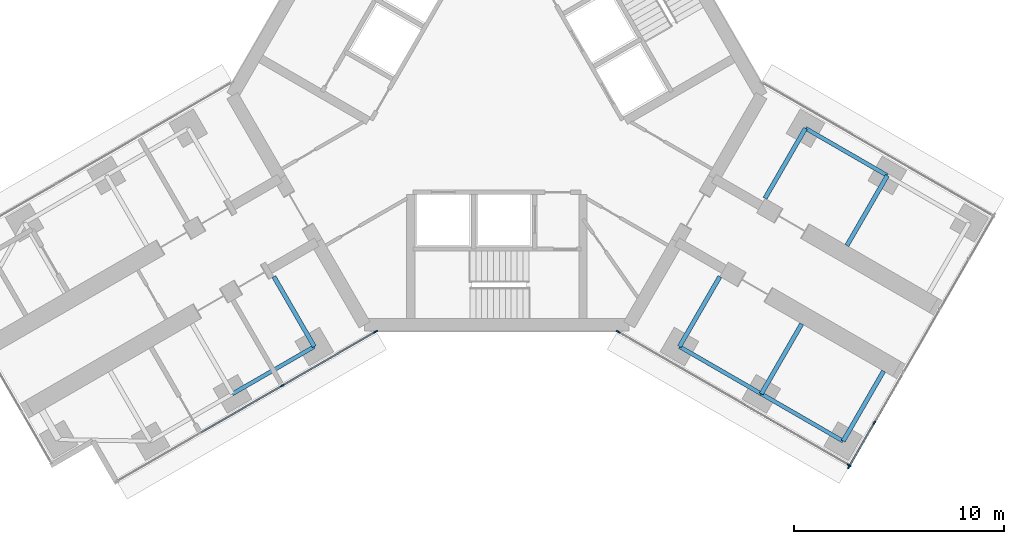
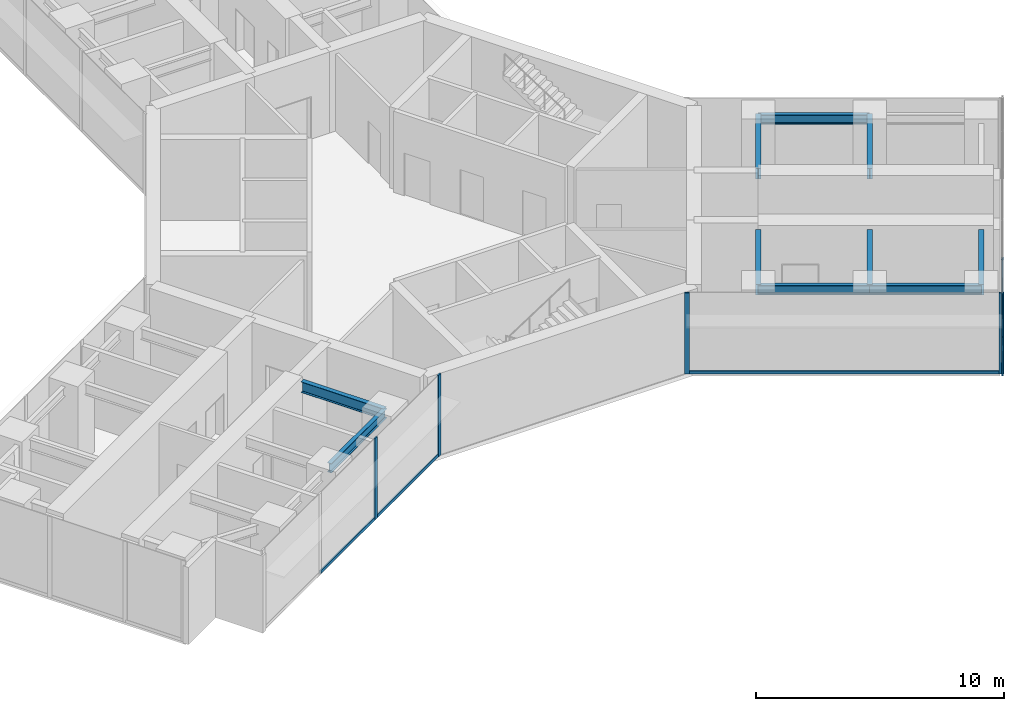
# One storey, part 8 of 21: 11 members, 10 beams, 3 elements without a shape of their own.
"""IFC4 building model written with IfcOpenShell, lengths in metres."""

from ifc_helpers import new_model, si_unit, direction, frame, origin, origin_2d, place, context, subcontext, project, spatial, rectangle, i_section, extrude, material, material_profile, profile_set, type_object, element, aggregate, save


model = new_model("IFC4")

# Units and contexts
model_context = context("Model", 3, precision=1e-05, world=origin(), true_north=direction((0.0, 1.0)))
body_context = subcontext(model_context, "Body", "Model", "MODEL_VIEW")
ifc_project = project(units=[si_unit("LENGTHUNIT", "METRE"), si_unit("AREAUNIT", "SQUARE_METRE"), si_unit("VOLUMEUNIT", "CUBIC_METRE"), si_unit("PLANEANGLEUNIT", "RADIAN"), si_unit("MASSUNIT", "GRAM", prefix="KILO")], contexts=[model_context])

# Site, building, storey
site_placement = place(None, origin())
site = spatial("IfcSite", under=ifc_project, at=site_placement, CompositionType="ELEMENT")
building_placement = place(site_placement, origin())
building = spatial("IfcBuilding", under=site, at=building_placement, Name="Upepo Twin Towers", CompositionType="ELEMENT")
storey_placement = place(building_placement, frame((0.0, 0.0, 113.5)))
storey = spatial("IfcBuildingStorey", under=building, at=storey_placement, Name="L27", CompositionType="ELEMENT", Elevation=113.5)

# Beams
ifc_material_1 = material(Name="Steel S355", Category="steel")
ifc_material_profile_1 = material_profile(ifc_material_1, i_section(OverallWidth=0.1904296875, OverallDepth=0.45703125, WebThickness=0.009033203125, FlangeThickness=0.014404296875, FilletRadius=0.01025390625, at=origin_2d()), Name="UB 457x191x74")
ifc_profile_set_1 = profile_set([ifc_material_profile_1], Name="Steel S355")
beam_type_1 = type_object("IfcBeamType", Name="Beam UB 457x191x74", PredefinedType="BEAM", material=ifc_profile_set_1)
for number, where, z_axis, x_axis, name in (
    (1, (49.80859375, -29.946044921875, 3.571533203125), (-0.866017533419, -0.500013631625, 0.0), (0.500013631625, -0.866017533419, 0.0), "T2 edge beam BL 13.5-18.0"),
    (2, (73.19140625, -19.553955078125, 3.571533203125), (0.866017533419, -0.500013631625, 0.0), (0.500013631625, 0.866017533419, 0.0), "T2 edge beam CL 13.5-18.0"),
    (3, (67.19140625, -29.946044921875, 3.571533203125), (0.866017533419, -0.500013631625, 0.0), (0.500013631625, 0.866017533419, 0.0), "T2 edge beam CR 13.5-18.0"),
):
    element("IfcBeam", number, at=place(storey_placement, frame(where, z_axis=z_axis, x_axis=x_axis)), inside=storey, type_object=beam_type_1, Name=name, PredefinedType="BEAM", context=body_context, shape_type="SweptSolid", body=[
        extrude(i_section(OverallWidth=0.1904296875, OverallDepth=0.45703125, WebThickness=0.009033203125, FlangeThickness=0.014404296875, FilletRadius=0.01025390625, at=origin_2d()), origin(), (0.0, 0.0, 1.0), 4.499755859375),
    ])
beam_1_placement = place(storey_placement, frame((71.08837890625, -32.196044921875, 3.571533203125), z_axis=(0.866031096941, -0.499990139034, 0.0), x_axis=(0.499990139034, 0.866031096941, 0.0)))
element("IfcBeam", 4, at=beam_1_placement, inside=storey, type_object=beam_type_1, Name="T2 edge beam CR 18.0-22.5", PredefinedType="BEAM", context=body_context, shape_type="SweptSolid", body=[
    extrude(i_section(OverallWidth=0.1904296875, OverallDepth=0.45703125, WebThickness=0.009033203125, FlangeThickness=0.014404296875, FilletRadius=0.01025390625, at=origin_2d()), origin(), (0.0, 0.0, 1.0), 4.5),
])
ifc_material_2 = material(Name="Steel S355", Category="steel")
ifc_material_profile_2 = material_profile(ifc_material_2, i_section(OverallWidth=0.209228515625, OverallDepth=0.533203125, WebThickness=0.010009765625, FlangeThickness=0.015625, FilletRadius=0.0126953125, at=origin_2d()), Name="UB 533x210x92")
ifc_profile_set_2 = profile_set([ifc_material_profile_2], Name="Steel S355")
beam_type_2 = type_object("IfcBeamType", Name="Beam UB 533x210x92", PredefinedType="BEAM", material=ifc_profile_set_2)
for number, where, z_axis, x_axis, name in (
    (5, (49.80859375, -29.946044921875, 3.533447265625), (-0.500033517596, 0.866006051527, 0.0), (-0.866006051527, -0.500033517596, 0.0), "T2 girder BL at 13.5"),
    (6, (73.19140625, -19.553955078125, 3.533447265625), (-0.500033517596, -0.866006051527, 0.0), (0.866006051527, -0.500033517596, 0.0), "T2 girder CL at 13.5"),
):
    element("IfcBeam", number, at=place(storey_placement, frame(where, z_axis=z_axis, x_axis=x_axis)), inside=storey, type_object=beam_type_2, Name=name, PredefinedType="BEAM", context=body_context, shape_type="SweptSolid", body=[
        extrude(i_section(OverallWidth=0.209228515625, OverallDepth=0.533203125, WebThickness=0.010009765625, FlangeThickness=0.015625, FilletRadius=0.0126953125, at=origin_2d()), origin(), (0.0, 0.0, 1.0), 3.849853515625),
    ])
beam_2_placement = place(storey_placement, frame((77.08837890625, -21.803955078125, 3.533447265625), z_axis=(-0.499985955615, -0.866033512162, 0.0), x_axis=(0.866033512162, -0.499985955615, 0.0)))
element("IfcBeam", 7, at=beam_2_placement, inside=storey, type_object=beam_type_2, Name="T2 girder CL at 18.0", PredefinedType="BEAM", context=body_context, shape_type="SweptSolid", body=[
    extrude(i_section(OverallWidth=0.209228515625, OverallDepth=0.533203125, WebThickness=0.010009765625, FlangeThickness=0.015625, FilletRadius=0.0126953125, at=origin_2d()), origin(), (0.0, 0.0, 1.0), 3.849609375),
])
for number, where, z_axis, x_axis, name in (
    (8, (67.19140625, -29.946044921875, 3.533447265625), (0.500033517596, 0.866006051527, 0.0), (-0.866006051527, 0.500033517596, 0.0), "T2 girder CR at 13.5"),
    (9, (71.08837890625, -32.196044921875, 3.533447265625), (0.500033517596, 0.866006051527, 0.0), (-0.866006051527, 0.500033517596, 0.0), "T2 girder CR at 18.0"),
    (10, (74.985595703125, -34.446044921875, 3.533447265625), (0.500033517596, 0.866006051527, 0.0), (-0.866006051527, 0.500033517596, 0.0), "T2 girder CR at 22.5"),
):
    element("IfcBeam", number, at=place(storey_placement, frame(where, z_axis=z_axis, x_axis=x_axis)), inside=storey, type_object=beam_type_2, Name=name, PredefinedType="BEAM", context=body_context, shape_type="SweptSolid", body=[
        extrude(i_section(OverallWidth=0.209228515625, OverallDepth=0.533203125, WebThickness=0.010009765625, FlangeThickness=0.015625, FilletRadius=0.0126953125, at=origin_2d()), origin(), (0.0, 0.0, 1.0), 3.849853515625),
    ])

# Curtain wall, members
ifc_material_3 = material(Name="Aluminium and fritted glass", Category="aluminium")
curtain_wall_type = type_object("IfcCurtainWallType", Name="Tower curtain wall TW2, fritted glass", PredefinedType="NOTDEFINED", material=ifc_material_3)
curtain_wall_1_placement = place(storey_placement, origin())
curtain_wall_1 = element("IfcCurtainWall", 11, at=curtain_wall_1_placement, inside=storey, type_object=curtain_wall_type, Name="T2 L27 wing B flank L curtain wall", PredefinedType="NOTDEFINED")
ifc_material_4 = material(Name="Aluminium mullion", Category="aluminium")
ifc_material_profile_3 = material_profile(ifc_material_4, rectangle(XDim=0.06494140625, YDim=0.199951171875, at=origin_2d()), Name="MULLION 65x200")
ifc_profile_set_3 = profile_set([ifc_material_profile_3], Name="Aluminium mullion")
member_type_1 = type_object("IfcMemberType", Name="Mullion 65x200 TW2", PredefinedType="MULLION", material=ifc_profile_set_3)
member_1_placement = place(storey_placement, frame((52.72802734375, -29.2421875, 0.0), z_axis=(0.0, 0.0, 1.0), x_axis=(0.500000010308, -0.866025397833, 0.0)))
member_1 = element("IfcMember", 12, at=member_1_placement, type_object=member_type_1, Name="T2 L27 wing B flank L curtain wall mullion 1", PredefinedType="MULLION", context=body_context, shape_type="SweptSolid", body=[
    extrude(rectangle(XDim=0.06494140625, YDim=0.199951171875, at=origin_2d()), origin(), (0.0, 0.0, 1.0), 4.0),
])
member_2_placement = place(storey_placement, frame((48.28515625, -31.807373046875, 0.0), z_axis=(0.0, 0.0, 1.0), x_axis=(0.500000010308, -0.866025397833, 0.0)))
member_2 = element("IfcMember", 13, at=member_2_placement, type_object=member_type_1, Name="T2 L27 wing B flank L curtain wall mullion 2", PredefinedType="MULLION", context=body_context, shape_type="SweptSolid", body=[
    extrude(rectangle(XDim=0.06494140625, YDim=0.199951171875, at=origin_2d()), origin(), (0.0, 0.0, 1.0), 4.0),
])

curtain_wall_2_placement = place(storey_placement, origin())
curtain_wall_2 = element("IfcCurtainWall", 14, at=curtain_wall_2_placement, inside=storey, type_object=curtain_wall_type, Name="T2 L27 wing C flank R curtain wall", PredefinedType="NOTDEFINED")
member_3_placement = place(storey_placement, frame((75.2685546875, -35.591064453125, 0.0), z_axis=(0.0, 0.0, 1.0), x_axis=(-0.50000000792, -0.866025399212, 0.0)))
member_3 = element("IfcMember", 15, at=member_3_placement, type_object=member_type_1, Name="T2 L27 wing C flank R curtain wall mullion 1", PredefinedType="MULLION", context=body_context, shape_type="SweptSolid", body=[
    extrude(rectangle(XDim=0.06494140625, YDim=0.199951171875, at=origin_2d()), origin(), (0.0, 0.0, 1.0), 4.0),
])
member_4_placement = place(storey_placement, frame((64.27197265625, -29.2421875, 0.0), z_axis=(0.0, 0.0, 1.0), x_axis=(-0.50000000792, -0.866025399212, 0.0)))
member_4 = element("IfcMember", 16, at=member_4_placement, type_object=member_type_1, Name="T2 L27 wing C flank R curtain wall mullion 2", PredefinedType="MULLION", context=body_context, shape_type="SweptSolid", body=[
    extrude(rectangle(XDim=0.06494140625, YDim=0.199951171875, at=origin_2d()), origin(), (0.0, 0.0, 1.0), 4.0),
])

curtain_wall_3_placement = place(storey_placement, origin())
curtain_wall_3 = element("IfcCurtainWall", 17, at=curtain_wall_3_placement, inside=storey, type_object=curtain_wall_type, Name="T2 L27 wing C nose curtain wall", PredefinedType="NOTDEFINED")
member_5_placement = place(storey_placement, frame((75.262939453125, -35.665771484375, 0.0), z_axis=(0.0, 0.0, 1.0), x_axis=(-0.866025419745, 0.499999972355, 0.0)))
member_5 = element("IfcMember", 18, at=member_5_placement, type_object=member_type_1, Name="T2 L27 wing C nose curtain wall mullion 1", PredefinedType="MULLION", context=body_context, shape_type="SweptSolid", body=[
    extrude(rectangle(XDim=0.06494140625, YDim=0.199951171875, at=origin_2d()), origin(), (0.0, 0.0, 1.0), 4.0),
])
member_6_placement = place(storey_placement, frame((76.4716796875, -33.572021484375, 0.0), z_axis=(0.0, 0.0, 1.0), x_axis=(-0.866025419745, 0.499999972355, 0.0)))
member_6 = element("IfcMember", 19, at=member_6_placement, type_object=member_type_1, Name="T2 L27 wing C nose curtain wall mullion 2", PredefinedType="MULLION", context=body_context, shape_type="SweptSolid", body=[
    extrude(rectangle(XDim=0.06494140625, YDim=0.199951171875, at=origin_2d()), origin(), (0.0, 0.0, 1.0), 4.0),
])

# Member
ifc_material_5 = material(Name="Aluminium transom", Category="aluminium")
ifc_material_profile_4 = material_profile(ifc_material_5, rectangle(XDim=0.06494140625, YDim=0.14990234375, at=origin_2d()), Name="TRANSOM 65x150")
ifc_profile_set_4 = profile_set([ifc_material_profile_4], Name="Aluminium transom")
member_type_2 = type_object("IfcMemberType", Name="Transom 65x150 TW2", PredefinedType="USERDEFINED", material=ifc_profile_set_4)
member_7_placement = place(storey_placement, frame((52.699951171875, -29.25830078125, 0.074951171875), z_axis=(-0.866021848223, -0.500006158363, 0.0), x_axis=(0.500006158363, -0.866021848223, 0.0)))
member_7 = element("IfcMember", 20, at=member_7_placement, type_object=member_type_2, Name="T2 L27 wing B flank L curtain wall transom 1", ObjectType="TRANSOM", PredefinedType="USERDEFINED", context=body_context, shape_type="SweptSolid", body=[
    extrude(rectangle(XDim=0.06494140625, YDim=0.14990234375, at=origin_2d()), origin(), (0.0, 0.0, 1.0), 5.0654296875),
])

member_8_placement = place(storey_placement, frame((48.2568359375, -31.823486328125, 0.074951171875), z_axis=(-0.866022410713, -0.500005184116, 0.0), x_axis=(0.500005184116, -0.866022410713, 0.0)))
member_8 = element("IfcMember", 21, at=member_8_placement, type_object=member_type_2, Name="T2 L27 wing B flank L curtain wall transom 2", ObjectType="TRANSOM", PredefinedType="USERDEFINED", context=body_context, shape_type="SweptSolid", body=[
    extrude(rectangle(XDim=0.06494140625, YDim=0.14990234375, at=origin_2d()), origin(), (0.0, 0.0, 1.0), 4.43505859375),
])

aggregate(curtain_wall_1, [member_1, member_2, member_7, member_8])

member_9_placement = place(storey_placement, frame((75.240478515625, -35.57470703125, 0.074951171875), z_axis=(-0.866027247007, 0.499996807431, 0.0), x_axis=(-0.499996807431, -0.866027247007, 0.0)))
member_9 = element("IfcMember", 22, at=member_9_placement, type_object=member_type_2, Name="T2 L27 wing C flank R curtain wall transom 1", ObjectType="TRANSOM", PredefinedType="USERDEFINED", context=body_context, shape_type="SweptSolid", body=[
    extrude(rectangle(XDim=0.06494140625, YDim=0.14990234375, at=origin_2d()), origin(), (0.0, 0.0, 1.0), 12.6328125),
])

aggregate(curtain_wall_2, [member_3, member_4, member_9])

member_10_placement = place(storey_placement, frame((75.279296875, -35.6376953125, 0.074951171875), z_axis=(0.499923095048, 0.866069800327, 0.0), x_axis=(-0.866069800327, 0.499923095048, 0.0)))
member_10 = element("IfcMember", 23, at=member_10_placement, type_object=member_type_2, Name="T2 L27 wing C nose curtain wall transom 1", ObjectType="TRANSOM", PredefinedType="USERDEFINED", context=body_context, shape_type="SweptSolid", body=[
    extrude(rectangle(XDim=0.06494140625, YDim=0.14990234375, at=origin_2d()), origin(), (0.0, 0.0, 1.0), 2.352294921875),
])

member_11_placement = place(storey_placement, frame((76.488037109375, -33.5439453125, 0.074951171875), z_axis=(0.49995335277, 0.8660523339, 0.0), x_axis=(-0.8660523339, 0.49995335277, 0.0)))
member_11 = element("IfcMember", 24, at=member_11_placement, type_object=member_type_2, Name="T2 L27 wing C nose curtain wall transom 2", ObjectType="TRANSOM", PredefinedType="USERDEFINED", context=body_context, shape_type="SweptSolid", body=[
    extrude(rectangle(XDim=0.06494140625, YDim=0.14990234375, at=origin_2d()), origin(), (0.0, 0.0, 1.0), 2.684814453125),
])

aggregate(curtain_wall_3, [member_5, member_6, member_10, member_11])

save(model, "model.ifc")
